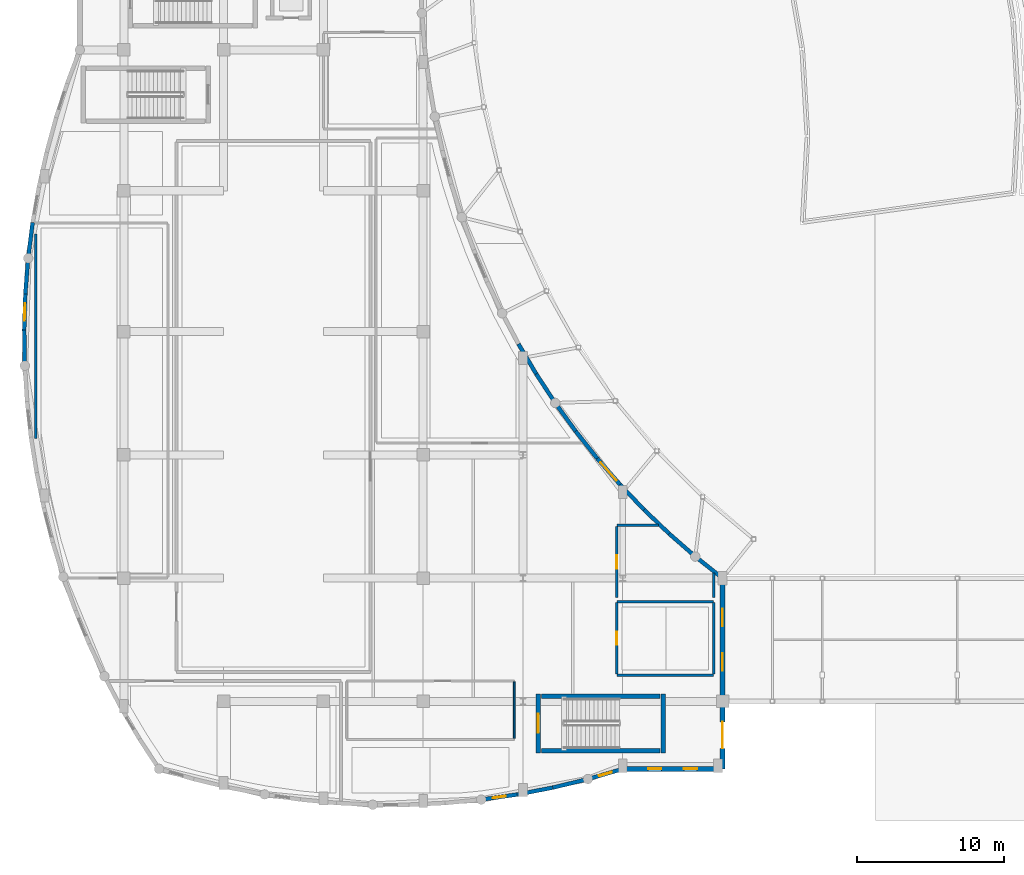
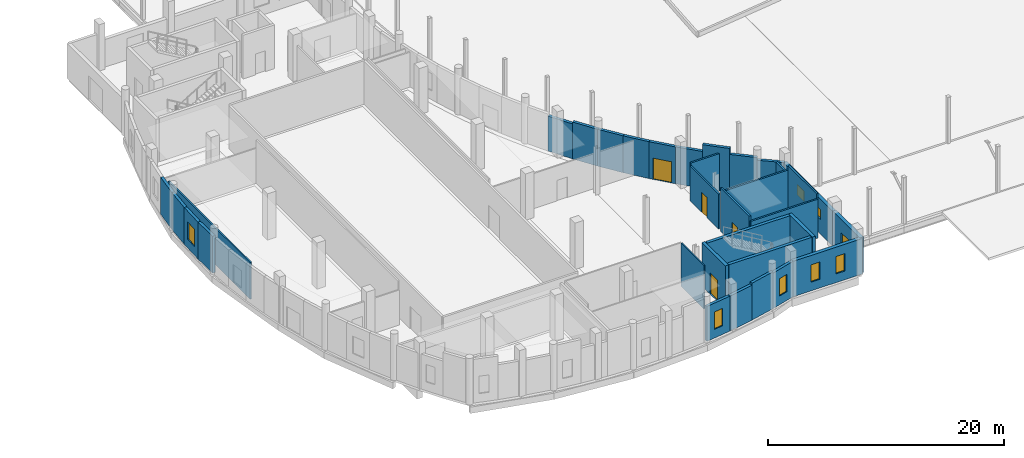
# One storey, part 61 of 97: 33 walls, 7 windows, 5 doors, 12 openings.
"""IFC4 building model written with IfcOpenShell, lengths in metres."""

from ifc_helpers import new_model, si_unit, direction, frame, frame_2d, origin, place, context, subcontext, project, spatial, rectangle, extrude, material, layer, layer_set, type_object, element, fill, save


model = new_model("IFC4")

# Units and contexts
model_context = context("Model", 3, precision=1e-05, world=origin(), true_north=direction((0.0, 1.0)))
body_context = subcontext(model_context, "Body", "Model", "MODEL_VIEW")
ifc_project = project(units=[si_unit("LENGTHUNIT", "METRE"), si_unit("AREAUNIT", "SQUARE_METRE"), si_unit("VOLUMEUNIT", "CUBIC_METRE"), si_unit("PLANEANGLEUNIT", "RADIAN"), si_unit("MASSUNIT", "GRAM", prefix="KILO")], contexts=[model_context])

# Site, building, storey
site_placement = place(None, origin())
site = spatial("IfcSite", under=ifc_project, at=site_placement, CompositionType="ELEMENT")
building_placement = place(site_placement, origin())
building = spatial("IfcBuilding", under=site, at=building_placement, Name="Kisaragi Civic Commons", CompositionType="ELEMENT")
storey_placement = place(building_placement, origin())
storey = spatial("IfcBuildingStorey", under=building, at=storey_placement, Name="L00", CompositionType="ELEMENT", Elevation=0.0)

# Wall, opening, door
ifc_material_1 = material(Name="Insulated Tokoname terracotta cavity wall", Category="masonry")
ifc_layer_1 = layer(ifc_material_1, 0.35009765625, Name="Insulated Tokoname terracotta cavity wall", Category="masonry")
ifc_layer_set_1 = layer_set([ifc_layer_1], Name="Insulated Tokoname terracotta cavity wall")
wall_type_1 = type_object("IfcWallType", Name="EW-02", PredefinedType="STANDARD", material=ifc_layer_set_1)
wall_1_placement = place(storey_placement, frame((47.60009765625, 8.39990234375, 0.0), z_axis=(0.0, 0.0, 1.0), x_axis=(0.0, -1.0, 0.0)))
wall_1 = element("IfcWall", 1, at=wall_1_placement, inside=storey, type_object=wall_type_1, Name="V1 L00 exterior terracotta wall EW-02 24", PredefinedType="STANDARD", context=body_context, shape_type="SweptSolid", body=[
    extrude(rectangle(XDim=4.599853515625, YDim=0.35009765625, at=frame_2d((2.2998046875, 0.0))), origin(), (0.0, 0.0, 1.0), 3.669921875),
])
opening_1_placement = place(wall_1_placement, frame((1.39990234375, 0.0, 0.0)))
opening_1 = element("IfcOpeningElement", 2, at=opening_1_placement, cuts=wall_1, Name="Opening ED-B", PredefinedType="OPENING", context=body_context, shape_type="SweptSolid", body=[
    extrude(rectangle(XDim=1.800048828125, YDim=2.300048828125, at=frame_2d((0.89990234375, 1.14990234375))), frame((0.0, 0.18505859375, 0.0), z_axis=(0.0, -1.0, 0.0), x_axis=(1.0, 0.0, 0.0)), (0.0, 0.0, 1.0), 0.3701171875),
])
ifc_material_2 = material(Name="Thermally broken anodized aluminium glazed exit door", Category="aluminium")
door_type_1 = type_object("IfcDoorType", Name="ED-B", OperationType="NOTDEFINED", PredefinedType="DOOR", material=ifc_material_2)
door_1_placement = place(opening_1_placement, origin())
door_1 = element("IfcDoor", 3, at=door_1_placement, inside=storey, type_object=door_type_1, Name="Ground exterior exit and veranda door ED-B 02", OperationType="DOUBLE_DOOR_SINGLE_SWING", OverallHeight=2.300048828125, OverallWidth=1.800048828125, PredefinedType="DOOR", context=body_context, shape_type="SweptSolid", body=[
    extrude(rectangle(XDim=1.800048828125, YDim=2.300048828125, at=frame_2d((0.89990234375, 1.14990234375))), frame((0.0, 0.02490234375, 0.0), z_axis=(0.0, -1.0, 0.0), x_axis=(1.0, 0.0, 0.0)), (0.0, 0.0, 1.0), 0.050048828125),
])
fill(opening_1, door_1)

# Walls
ifc_layer_2 = layer(ifc_material_1, 0.26806640625, Name="Insulated Tokoname terracotta cavity wall", Category="masonry")
ifc_layer_set_2 = layer_set([ifc_layer_2], Name="Insulated Tokoname terracotta cavity wall")
wall_type_2 = type_object("IfcWallType", Name="EW-04", PredefinedType="STANDARD", material=ifc_layer_set_2)
wall_2_placement = place(storey_placement, frame((33.694091796875, 32.759765625, 0.0), z_axis=(0.0, 0.0, 1.0), x_axis=(0.509423716395, -0.860515820409, 0.0)))
element("IfcWall", 4, at=wall_2_placement, inside=storey, type_object=wall_type_2, Name="V1 L00 exterior terracotta wall EW-04 14", PredefinedType="STANDARD", context=body_context, shape_type="SweptSolid", body=[
    extrude(rectangle(XDim=2.368408203125, YDim=0.26806640625, at=frame_2d((1.18408203125, 0.0))), origin(), (0.0, 0.0, 1.0), 3.6201171875),
])
wall_3_placement = place(storey_placement, frame((34.900634765625, 30.7216796875, 0.0), z_axis=(0.0, 0.0, 1.0), x_axis=(0.54814066554, -0.83638616128, 0.0)))
element("IfcWall", 5, at=wall_3_placement, inside=storey, type_object=wall_type_2, Name="V1 L00 exterior terracotta wall EW-04 15", PredefinedType="STANDARD", context=body_context, shape_type="SweptSolid", body=[
    extrude(rectangle(XDim=2.3681640625, YDim=0.26806640625, at=frame_2d((1.18408203125, 0.0))), origin(), (0.0, 0.0, 1.0), 3.820068359375),
])
wall_4_placement = place(storey_placement, frame((36.19873046875, 28.740966796875, 0.0), z_axis=(0.0, 0.0, 1.0), x_axis=(0.585588400882, -0.810608552109, 0.0)))
element("IfcWall", 6, at=wall_4_placement, inside=storey, type_object=wall_type_2, Name="V1 L00 exterior terracotta wall EW-04 16", PredefinedType="STANDARD", context=body_context, shape_type="SweptSolid", body=[
    extrude(rectangle(XDim=2.368408203125, YDim=0.26806640625, at=frame_2d((1.18408203125, 0.0))), origin(), (0.0, 0.0, 1.0), 3.820068359375),
])
wall_5_placement = place(storey_placement, frame((37.585693359375, 26.821044921875, 0.0), z_axis=(0.0, 0.0, 1.0), x_axis=(0.621937925109, -0.783066547179, 0.0)))
element("IfcWall", 7, at=wall_5_placement, inside=storey, type_object=wall_type_2, Name="V1 L00 exterior terracotta wall EW-04 17", PredefinedType="STANDARD", context=body_context, shape_type="SweptSolid", body=[
    extrude(rectangle(XDim=2.3681640625, YDim=0.26806640625, at=frame_2d((1.18408203125, 0.0))), origin(), (0.0, 0.0, 1.0), 3.820068359375),
])

# Wall, opening, door
wall_6_placement = place(storey_placement, frame((39.05859375, 24.966552734375, 0.0), z_axis=(0.0, 0.0, 1.0), x_axis=(0.65694145238, -0.753941594651, 0.0)))
wall_6 = element("IfcWall", 8, at=wall_6_placement, inside=storey, type_object=wall_type_2, Name="V1 L00 exterior terracotta wall EW-04 18", PredefinedType="STANDARD", context=body_context, shape_type="SweptSolid", body=[
    extrude(rectangle(XDim=2.368408203125, YDim=0.26806640625, at=frame_2d((1.18408203125, 0.0))), origin(), (0.0, 0.0, 1.0), 3.820068359375),
])
opening_2_placement = place(wall_6_placement, frame((0.359130859375, 0.0, 0.0)))
opening_2 = element("IfcOpeningElement", 9, at=opening_2_placement, cuts=wall_6, Name="Opening ED-D", PredefinedType="OPENING", context=body_context, shape_type="SweptSolid", body=[
    extrude(rectangle(XDim=1.64990234375, YDim=2.199951171875, at=frame_2d((0.824951171875, 1.10009765625))), frame((0.0, 0.14404296875, 0.0), z_axis=(0.0, -1.0, 0.0), x_axis=(1.0, 0.0, 0.0)), (0.0, 0.0, 1.0), 0.2880859375),
])
door_type_2 = type_object("IfcDoorType", Name="ED-D", OperationType="NOTDEFINED", PredefinedType="DOOR", material=ifc_material_2)
door_2_placement = place(opening_2_placement, origin())
door_2 = element("IfcDoor", 10, at=door_2_placement, inside=storey, type_object=door_type_2, Name="Ground exterior exit and veranda door ED-D 23", OperationType="DOUBLE_DOOR_SINGLE_SWING", OverallHeight=2.199951171875, OverallWidth=1.64990234375, PredefinedType="DOOR", context=body_context, shape_type="SweptSolid", body=[
    extrude(rectangle(XDim=1.64990234375, YDim=2.199951171875, at=frame_2d((0.824951171875, 1.10009765625))), frame((0.0, 0.02490234375, 0.0), z_axis=(0.0, -1.0, 0.0), x_axis=(1.0, 0.0, 0.0)), (0.0, 0.0, 1.0), 0.050048828125),
])
fill(opening_2, door_2)

# Walls
wall_7_placement = place(storey_placement, frame((40.614501953125, 23.180908203125, 0.0), z_axis=(0.0, 0.0, 1.0), x_axis=(0.690578715077, -0.723257242123, 0.0)))
element("IfcWall", 11, at=wall_7_placement, inside=storey, type_object=wall_type_2, Name="V1 L00 exterior terracotta wall EW-04 19", PredefinedType="STANDARD", context=body_context, shape_type="SweptSolid", body=[
    extrude(rectangle(XDim=2.368408203125, YDim=0.26806640625, at=frame_2d((1.18408203125, 0.0))), origin(), (0.0, 0.0, 1.0), 3.820068359375),
])
wall_8_placement = place(storey_placement, frame((42.25, 21.468017578125, 0.0), z_axis=(0.0, 0.0, 1.0), x_axis=(0.722803022189, -0.691054115909, 0.0)))
element("IfcWall", 12, at=wall_8_placement, inside=storey, type_object=wall_type_2, Name="V1 L00 exterior terracotta wall EW-04 20", PredefinedType="STANDARD", context=body_context, shape_type="SweptSolid", body=[
    extrude(rectangle(XDim=2.368408203125, YDim=0.26806640625, at=frame_2d((1.18408203125, 0.0))), origin(), (0.0, 0.0, 1.0), 4.52001953125),
])
wall_9_placement = place(storey_placement, frame((43.9619140625, 19.831298828125, 0.0), z_axis=(0.0, 0.0, 1.0), x_axis=(0.753463654821, -0.657489559509, 0.0)))
element("IfcWall", 13, at=wall_9_placement, inside=storey, type_object=wall_type_2, Name="V1 L00 exterior terracotta wall EW-04 21", PredefinedType="STANDARD", context=body_context, shape_type="SweptSolid", body=[
    extrude(rectangle(XDim=2.368408203125, YDim=0.26806640625, at=frame_2d((1.18408203125, 0.0))), origin(), (0.0, 0.0, 1.0), 3.89990234375),
])
wall_10_placement = place(storey_placement, frame((45.746337890625, 18.274169921875, 0.0), z_axis=(0.0, 0.0, 1.0), x_axis=(0.782695778101, -0.622404465715, 0.0)))
element("IfcWall", 14, at=wall_10_placement, inside=storey, type_object=wall_type_2, Name="V1 L00 exterior terracotta wall EW-04 22", PredefinedType="STANDARD", context=body_context, shape_type="SweptSolid", body=[
    extrude(rectangle(XDim=2.368408203125, YDim=0.26806640625, at=frame_2d((1.18408203125, 0.0))), origin(), (0.0, 0.0, 1.0), 3.6201171875),
])

# Wall, opening, window
wall_11_placement = place(storey_placement, frame((40.800048828125, 3.800048828125, 0.0), z_axis=(0.0, 0.0, 1.0), x_axis=(-0.959667177702, -0.281138592232, 0.0)))
wall_11 = element("IfcWall", 15, at=wall_11_placement, inside=storey, type_object=wall_type_2, Name="V1 L00 exterior terracotta wall EW-04 26", PredefinedType="STANDARD", context=body_context, shape_type="SweptSolid", body=[
    extrude(rectangle(XDim=2.4697265625, YDim=0.26806640625, at=frame_2d((1.23486328125, 0.0))), origin(), (0.0, 0.0, 1.0), 3.669921875),
])
opening_3_placement = place(wall_11_placement, frame((0.784912109375, 0.0, 0.89990234375)))
opening_3 = element("IfcOpeningElement", 16, at=opening_3_placement, cuts=wall_11, Name="Opening W-06", PredefinedType="OPENING", context=body_context, shape_type="SweptSolid", body=[
    extrude(rectangle(XDim=0.89990234375, YDim=1.800048828125, at=frame_2d((0.449951171875, 0.89990234375))), frame((0.0, 0.14404296875, 0.0), z_axis=(0.0, -1.0, 0.0), x_axis=(1.0, 0.0, 0.0)), (0.0, 0.0, 1.0), 0.2880859375),
])
ifc_material_3 = material(Name="Thermally broken aluminium frame and low-E argon double glazing", Category="aluminium")
window_type_1 = type_object("IfcWindowType", Name="W-06", PartitioningType="SINGLE_PANEL", PredefinedType="WINDOW", material=ifc_material_3)
window_1_placement = place(opening_3_placement, origin())
window_1 = element("IfcWindow", 17, at=window_1_placement, inside=storey, type_object=window_type_1, Name="V1 L00 window W-06 6", OverallHeight=1.800048828125, OverallWidth=0.89990234375, PartitioningType="SINGLE_PANEL", PredefinedType="WINDOW", context=body_context, shape_type="SweptSolid", body=[
    extrude(rectangle(XDim=0.89990234375, YDim=1.800048828125, at=frame_2d((0.449951171875, 0.89990234375))), frame((0.0, 0.030029296875, 0.0), z_axis=(0.0, -1.0, 0.0), x_axis=(1.0, 0.0, 0.0)), (0.0, 0.0, 1.0), 0.06005859375),
])
fill(opening_3, window_1)

# Walls
wall_12_placement = place(storey_placement, frame((38.429931640625, 3.105712890625, 0.0), z_axis=(0.0, 0.0, 1.0), x_axis=(-0.971924140736, -0.235294421214, 0.0)))
element("IfcWall", 18, at=wall_12_placement, inside=storey, type_object=wall_type_2, Name="V1 L00 exterior terracotta wall EW-04 27", PredefinedType="STANDARD", context=body_context, shape_type="SweptSolid", body=[
    extrude(rectangle(XDim=2.469482421875, YDim=0.26806640625, at=frame_2d((1.23486328125, 0.0))), origin(), (0.0, 0.0, 1.0), 3.820068359375),
])
wall_13_placement = place(storey_placement, frame((36.02978515625, 2.524658203125, 0.0), z_axis=(0.0, 0.0, 1.0), x_axis=(-0.982013497208, -0.188810728777, 0.0)))
element("IfcWall", 19, at=wall_13_placement, inside=storey, type_object=wall_type_2, Name="V1 L00 exterior terracotta wall EW-04 28", PredefinedType="STANDARD", context=body_context, shape_type="SweptSolid", body=[
    extrude(rectangle(XDim=2.4697265625, YDim=0.26806640625, at=frame_2d((1.23486328125, 0.0))), origin(), (0.0, 0.0, 1.0), 3.6201171875),
])

# Wall, opening, window
wall_14_placement = place(storey_placement, frame((33.6044921875, 2.058349609375, 0.0), z_axis=(0.0, 0.0, 1.0), x_axis=(-0.989872236715, -0.141961103757, 0.0)))
wall_14 = element("IfcWall", 20, at=wall_14_placement, inside=storey, type_object=wall_type_2, Name="V1 L00 exterior terracotta wall EW-04 29", PredefinedType="STANDARD", context=body_context, shape_type="SweptSolid", body=[
    extrude(rectangle(XDim=2.469482421875, YDim=0.26806640625, at=frame_2d((1.23486328125, 0.0))), origin(), (0.0, 0.0, 1.0), 3.6201171875),
])
opening_4_placement = place(wall_14_placement, frame((0.784912109375, 0.0, 0.89990234375)))
opening_4 = element("IfcOpeningElement", 21, at=opening_4_placement, cuts=wall_14, Name="Opening W-06", PredefinedType="OPENING", context=body_context, shape_type="SweptSolid", body=[
    extrude(rectangle(XDim=0.89990234375, YDim=1.800048828125, at=frame_2d((0.449951171875, 0.89990234375))), frame((0.0, 0.14404296875, 0.0), z_axis=(0.0, -1.0, 0.0), x_axis=(1.0, 0.0, 0.0)), (0.0, 0.0, 1.0), 0.2880859375),
])
window_2_placement = place(opening_4_placement, origin())
window_2 = element("IfcWindow", 22, at=window_2_placement, inside=storey, type_object=window_type_1, Name="V1 L00 window W-06 7", OverallHeight=1.800048828125, OverallWidth=0.89990234375, PartitioningType="SINGLE_PANEL", PredefinedType="WINDOW", context=body_context, shape_type="SweptSolid", body=[
    extrude(rectangle(XDim=0.89990234375, YDim=1.800048828125, at=frame_2d((0.449951171875, 0.89990234375))), frame((0.0, 0.030029296875, 0.0), z_axis=(0.0, -1.0, 0.0), x_axis=(1.0, 0.0, 0.0)), (0.0, 0.0, 1.0), 0.06005859375),
])
fill(opening_4, window_2)

# Wall
wall_15_placement = place(storey_placement, frame((0.051513671875, 31.277099609375, 0.0), z_axis=(0.0, 0.0, 1.0), x_axis=(-0.015674559362, 0.999877146548, 0.0)))
element("IfcWall", 23, at=wall_15_placement, inside=storey, type_object=wall_type_2, Name="V1 L00 exterior terracotta wall EW-04 51", PredefinedType="STANDARD", context=body_context, shape_type="SweptSolid", body=[
    extrude(rectangle(XDim=2.4453125, YDim=0.26806640625, at=frame_2d((1.22265625, 0.0))), origin(), (0.0, 0.0, 1.0), 3.820068359375),
])

# Wall, opening, window
wall_16_placement = place(storey_placement, frame((0.01318359375, 33.72216796875, 0.0), z_axis=(0.0, 0.0, 1.0), x_axis=(0.031346952552, 0.999508563528, 0.0)))
wall_16 = element("IfcWall", 24, at=wall_16_placement, inside=storey, type_object=wall_type_2, Name="V1 L00 exterior terracotta wall EW-04 52", PredefinedType="STANDARD", context=body_context, shape_type="SweptSolid", body=[
    extrude(rectangle(XDim=2.445556640625, YDim=0.26806640625, at=frame_2d((1.22265625, 0.0))), origin(), (0.0, 0.0, 1.0), 3.820068359375),
])
opening_5_placement = place(wall_16_placement, frame((0.622802734375, 0.0, 0.89990234375)))
opening_5 = element("IfcOpeningElement", 25, at=opening_5_placement, cuts=wall_16, Name="Opening W-05", PredefinedType="OPENING", context=body_context, shape_type="SweptSolid", body=[
    extrude(rectangle(XDim=1.199951171875, YDim=1.800048828125, at=frame_2d((0.60009765625, 0.89990234375))), frame((0.0, 0.14404296875, 0.0), z_axis=(0.0, -1.0, 0.0), x_axis=(1.0, 0.0, 0.0)), (0.0, 0.0, 1.0), 0.2880859375),
])
window_type_2 = type_object("IfcWindowType", Name="W-05", PartitioningType="SINGLE_PANEL", PredefinedType="WINDOW", material=ifc_material_3)
window_3_placement = place(opening_5_placement, origin())
window_3 = element("IfcWindow", 26, at=window_3_placement, inside=storey, type_object=window_type_2, Name="V1 L00 window W-05 14", OverallHeight=1.800048828125, OverallWidth=1.199951171875, PartitioningType="SINGLE_PANEL", PredefinedType="WINDOW", context=body_context, shape_type="SweptSolid", body=[
    extrude(rectangle(XDim=1.199951171875, YDim=1.800048828125, at=frame_2d((0.60009765625, 0.89990234375))), frame((0.0, 0.030029296875, 0.0), z_axis=(0.0, -1.0, 0.0), x_axis=(1.0, 0.0, 0.0)), (0.0, 0.0, 1.0), 0.06005859375),
])
fill(opening_5, window_3)

# Walls
wall_17_placement = place(storey_placement, frame((0.08984375, 36.16650390625, 0.0), z_axis=(0.0, 0.0, 1.0), x_axis=(0.078276857386, 0.996931659442, 0.0)))
element("IfcWall", 27, at=wall_17_placement, inside=storey, type_object=wall_type_2, Name="V1 L00 exterior terracotta wall EW-04 53", PredefinedType="STANDARD", context=body_context, shape_type="SweptSolid", body=[
    extrude(rectangle(XDim=2.4453125, YDim=0.26806640625, at=frame_2d((1.22265625, 0.0))), origin(), (0.0, 0.0, 1.0), 3.820068359375),
])
wall_18_placement = place(storey_placement, frame((0.28125, 38.604248046875, 0.0), z_axis=(0.0, 0.0, 1.0), x_axis=(0.125091363355, 0.992145226675, 0.0)))
element("IfcWall", 28, at=wall_18_placement, inside=storey, type_object=wall_type_2, Name="V1 L00 exterior terracotta wall EW-04 54", PredefinedType="STANDARD", context=body_context, shape_type="SweptSolid", body=[
    extrude(rectangle(XDim=2.445556640625, YDim=0.26806640625, at=frame_2d((1.22265625, 0.0))), origin(), (0.0, 0.0, 1.0), 3.820068359375),
])

# Wall, openings, windows
ifc_layer_3 = layer(ifc_material_1, 0.3349609375, Name="Insulated Tokoname terracotta cavity wall", Category="masonry")
ifc_layer_set_3 = layer_set([ifc_layer_3], Name="Insulated Tokoname terracotta cavity wall")
wall_type_3 = type_object("IfcWallType", Name="EW-06", PredefinedType="STANDARD", material=ifc_layer_set_3)
wall_19_placement = place(storey_placement, frame((47.60009765625, 16.800048828125, 0.0), z_axis=(0.0, 0.0, 1.0), x_axis=(0.0, -1.0, 0.0)))
wall_19 = element("IfcWall", 29, at=wall_19_placement, inside=storey, type_object=wall_type_3, Name="V1 L00 exterior terracotta wall EW-06 23", PredefinedType="STANDARD", context=body_context, shape_type="SweptSolid", body=[
    extrude(rectangle(XDim=8.400146484375, YDim=0.3349609375, at=frame_2d((4.2001953125, 0.0))), origin(), (0.0, 0.0, 1.0), 3.6201171875),
])
opening_6_placement = place(wall_19_placement, frame((2.087890625, 0.0, 1.5)))
opening_6 = element("IfcOpeningElement", 30, at=opening_6_placement, cuts=wall_19, Name="Opening W-09", PredefinedType="OPENING", context=body_context, shape_type="SweptSolid", body=[
    extrude(rectangle(XDim=1.199951171875, YDim=1.050048828125, at=frame_2d((0.60009765625, 0.52490234375))), frame((0.0, 0.177490234375, 0.0), z_axis=(0.0, -1.0, 0.0), x_axis=(1.0, 0.0, 0.0)), (0.0, 0.0, 1.0), 0.35498046875),
])
opening_7_placement = place(wall_19_placement, frame((5.112060546875, 0.0, 1.5)))
opening_7 = element("IfcOpeningElement", 31, at=opening_7_placement, cuts=wall_19, Name="Opening W-09", PredefinedType="OPENING", context=body_context, shape_type="SweptSolid", body=[
    extrude(rectangle(XDim=1.199951171875, YDim=1.050048828125, at=frame_2d((0.60009765625, 0.52490234375))), frame((0.0, 0.177490234375, 0.0), z_axis=(0.0, -1.0, 0.0), x_axis=(1.0, 0.0, 0.0)), (0.0, 0.0, 1.0), 0.35498046875),
])
window_type_3 = type_object("IfcWindowType", Name="W-09", PartitioningType="SINGLE_PANEL", PredefinedType="WINDOW", material=ifc_material_3)
window_4_placement = place(opening_6_placement, origin())
window_4 = element("IfcWindow", 32, at=window_4_placement, inside=storey, type_object=window_type_3, Name="V1 L00 window W-09 2", OverallHeight=1.050048828125, OverallWidth=1.199951171875, PartitioningType="SINGLE_PANEL", PredefinedType="WINDOW", context=body_context, shape_type="SweptSolid", body=[
    extrude(rectangle(XDim=1.199951171875, YDim=1.050048828125, at=frame_2d((0.60009765625, 0.52490234375))), frame((0.0, 0.030029296875, 0.0), z_axis=(0.0, -1.0, 0.0), x_axis=(1.0, 0.0, 0.0)), (0.0, 0.0, 1.0), 0.06005859375),
])
fill(opening_6, window_4)
window_5_placement = place(opening_7_placement, origin())
window_5 = element("IfcWindow", 33, at=window_5_placement, inside=storey, type_object=window_type_3, Name="V1 L00 window W-09 3", OverallHeight=1.050048828125, OverallWidth=1.199951171875, PartitioningType="SINGLE_PANEL", PredefinedType="WINDOW", context=body_context, shape_type="SweptSolid", body=[
    extrude(rectangle(XDim=1.199951171875, YDim=1.050048828125, at=frame_2d((0.60009765625, 0.52490234375))), frame((0.0, 0.030029296875, 0.0), z_axis=(0.0, -1.0, 0.0), x_axis=(1.0, 0.0, 0.0)), (0.0, 0.0, 1.0), 0.06005859375),
])
fill(opening_7, window_5)

wall_20_placement = place(storey_placement, frame((47.60009765625, 3.800048828125, 0.0), z_axis=(0.0, 0.0, 1.0), x_axis=(-1.0, 0.0, 0.0)))
wall_20 = element("IfcWall", 34, at=wall_20_placement, inside=storey, type_object=wall_type_3, Name="V1 L00 exterior terracotta wall EW-06 25", PredefinedType="STANDARD", context=body_context, shape_type="SweptSolid", body=[
    extrude(rectangle(XDim=6.800048828125, YDim=0.3349609375, at=frame_2d((3.39990234375, 0.0))), origin(), (0.0, 0.0, 1.0), 3.669921875),
])
opening_8_placement = place(wall_20_placement, frame((1.72607421875, 0.0, 0.89990234375)))
opening_8 = element("IfcOpeningElement", 35, at=opening_8_placement, cuts=wall_20, Name="Opening W-06", PredefinedType="OPENING", context=body_context, shape_type="SweptSolid", body=[
    extrude(rectangle(XDim=0.89990234375, YDim=1.800048828125, at=frame_2d((0.449951171875, 0.89990234375))), frame((0.0, 0.177490234375, 0.0), z_axis=(0.0, -1.0, 0.0), x_axis=(1.0, 0.0, 0.0)), (0.0, 0.0, 1.0), 0.35498046875),
])
opening_9_placement = place(wall_20_placement, frame((4.174072265625, 0.0, 0.89990234375)))
opening_9 = element("IfcOpeningElement", 36, at=opening_9_placement, cuts=wall_20, Name="Opening W-06", PredefinedType="OPENING", context=body_context, shape_type="SweptSolid", body=[
    extrude(rectangle(XDim=0.89990234375, YDim=1.800048828125, at=frame_2d((0.449951171875, 0.89990234375))), frame((0.0, 0.177490234375, 0.0), z_axis=(0.0, -1.0, 0.0), x_axis=(1.0, 0.0, 0.0)), (0.0, 0.0, 1.0), 0.35498046875),
])
window_6_placement = place(opening_8_placement, origin())
window_6 = element("IfcWindow", 37, at=window_6_placement, inside=storey, type_object=window_type_1, Name="V1 L00 window W-06 4", OverallHeight=1.800048828125, OverallWidth=0.89990234375, PartitioningType="SINGLE_PANEL", PredefinedType="WINDOW", context=body_context, shape_type="SweptSolid", body=[
    extrude(rectangle(XDim=0.89990234375, YDim=1.800048828125, at=frame_2d((0.449951171875, 0.89990234375))), frame((0.0, 0.030029296875, 0.0), z_axis=(0.0, -1.0, 0.0), x_axis=(1.0, 0.0, 0.0)), (0.0, 0.0, 1.0), 0.06005859375),
])
fill(opening_8, window_6)
window_7_placement = place(opening_9_placement, origin())
window_7 = element("IfcWindow", 38, at=window_7_placement, inside=storey, type_object=window_type_1, Name="V1 L00 window W-06 5", OverallHeight=1.800048828125, OverallWidth=0.89990234375, PartitioningType="SINGLE_PANEL", PredefinedType="WINDOW", context=body_context, shape_type="SweptSolid", body=[
    extrude(rectangle(XDim=0.89990234375, YDim=1.800048828125, at=frame_2d((0.449951171875, 0.89990234375))), frame((0.0, 0.030029296875, 0.0), z_axis=(0.0, -1.0, 0.0), x_axis=(1.0, 0.0, 0.0)), (0.0, 0.0, 1.0), 0.06005859375),
])
fill(opening_9, window_7)

# Walls
ifc_material_4 = material(Name="Acoustic gypsum board on light-gauge steel studs", Category="steel")
ifc_layer_4 = layer(ifc_material_4, 0.137939453125, Name="Acoustic gypsum board on light-gauge steel studs", Category="steel")
ifc_layer_set_4 = layer_set([ifc_layer_4], Name="Acoustic gypsum board on light-gauge steel studs")
wall_type_4 = type_object("IfcWallType", Name="IW-02", PredefinedType="STANDARD", material=ifc_layer_set_4)
wall_21_placement = place(storey_placement, frame((0.800048828125, 26.33154296875, 0.0), z_axis=(0.0, 0.0, 1.0), x_axis=(0.0, 1.0, 0.0)))
element("IfcWall", 39, at=wall_21_placement, inside=storey, type_object=wall_type_4, Name="L00 M0-02 partition IW-02 67", PredefinedType="STANDARD", context=body_context, shape_type="SweptSolid", body=[
    extrude(rectangle(XDim=13.914306640625, YDim=0.137939453125, at=frame_2d((6.95703125, 0.0))), origin(), (0.0, 0.0, 1.0), 3.820068359375),
])
ifc_material_5 = material(Name="Cementitious tile-backer board on galvanized steel studs", Category="steel")
ifc_layer_5 = layer(ifc_material_5, 0.16796875, Name="Cementitious tile-backer board on galvanized steel studs", Category="steel")
ifc_layer_set_5 = layer_set([ifc_layer_5], Name="Cementitious tile-backer board on galvanized steel studs")
wall_type_5 = type_object("IfcWallType", Name="IW-03", PredefinedType="STANDARD", material=ifc_layer_set_5)
wall_22_placement = place(storey_placement, frame((47.0, 15.125, 0.0), z_axis=(0.0, 0.0, 1.0), x_axis=(0.0, -1.0, 0.0)))
element("IfcWall", 40, at=wall_22_placement, inside=storey, type_object=wall_type_5, Name="L00 M0-09 partition IW-03 83", PredefinedType="STANDARD", context=body_context, shape_type="SweptSolid", body=[
    extrude(rectangle(XDim=4.85009765625, YDim=0.16796875, at=frame_2d((2.425048828125, 0.0))), origin(), (0.0, 0.0, 1.0), 4.489990234375),
])
wall_23_placement = place(storey_placement, frame((46.9951171875, 10.199951171875, 0.0), z_axis=(0.0, 0.0, 1.0), x_axis=(-1.0, 0.0, 0.0)))
element("IfcWall", 41, at=wall_23_placement, inside=storey, type_object=wall_type_5, Name="L00 M0-09 partition IW-03 84", PredefinedType="STANDARD", context=body_context, shape_type="SweptSolid", body=[
    extrude(rectangle(XDim=6.590087890625, YDim=0.16796875, at=frame_2d((3.294921875, 0.0))), origin(), (0.0, 0.0, 1.0), 4.02001953125),
])

# Wall, opening, door
wall_24_placement = place(storey_placement, frame((40.39990234375, 10.27490234375, 0.0), z_axis=(0.0, 0.0, 1.0), x_axis=(0.0, 1.0, 0.0)))
wall_24 = element("IfcWall", 42, at=wall_24_placement, inside=storey, type_object=wall_type_5, Name="L00 M0-09 partition IW-03 85", PredefinedType="STANDARD", context=body_context, shape_type="SweptSolid", body=[
    extrude(rectangle(XDim=4.85009765625, YDim=0.16796875, at=frame_2d((2.425048828125, 0.0))), origin(), (0.0, 0.0, 1.0), 4.489990234375),
])
opening_10_placement = place(wall_24_placement, frame((1.97509765625, 0.0, 0.0)))
opening_10 = element("IfcOpeningElement", 43, at=opening_10_placement, cuts=wall_24, Name="Opening ID-02", PredefinedType="OPENING", context=body_context, shape_type="SweptSolid", body=[
    extrude(rectangle(XDim=0.89990234375, YDim=2.10009765625, at=frame_2d((0.449951171875, 1.050048828125))), frame((0.0, 0.093994140625, 0.0), z_axis=(0.0, -1.0, 0.0), x_axis=(1.0, 0.0, 0.0)), (0.0, 0.0, 1.0), 0.18798828125),
])
ifc_material_6 = material(Name="Solid-core Japanese ash acoustic flush timber leaf in steel frame", Category="steel")
door_type_3 = type_object("IfcDoorType", Name="ID-02", OperationType="NOTDEFINED", PredefinedType="DOOR", material=ifc_material_6)
door_3_placement = place(opening_10_placement, origin())
door_3 = element("IfcDoor", 44, at=door_3_placement, inside=storey, type_object=door_type_3, Name="Main Hall Male WC door ID-02", OperationType="SINGLE_SWING_RIGHT", OverallHeight=2.10009765625, OverallWidth=0.89990234375, PredefinedType="DOOR", context=body_context, shape_type="SweptSolid", body=[
    extrude(rectangle(XDim=0.89990234375, YDim=2.10009765625, at=frame_2d((0.449951171875, 1.050048828125))), frame((0.0, 0.02490234375, 0.0), z_axis=(0.0, -1.0, 0.0), x_axis=(1.0, 0.0, 0.0)), (0.0, 0.0, 1.0), 0.050048828125),
])
fill(opening_10, door_3)

# Walls
wall_25_placement = place(storey_placement, frame((40.405029296875, 15.199951171875, 0.0), z_axis=(0.0, 0.0, 1.0), x_axis=(1.0, 0.0, 0.0)))
element("IfcWall", 45, at=wall_25_placement, inside=storey, type_object=wall_type_5, Name="L00 M0-09 partition IW-03 86", PredefinedType="STANDARD", context=body_context, shape_type="SweptSolid", body=[
    extrude(rectangle(XDim=6.590087890625, YDim=0.16796875, at=frame_2d((3.294921875, 0.0))), origin(), (0.0, 0.0, 1.0), 4.02001953125),
])
wall_26_placement = place(storey_placement, frame((40.405029296875, 20.39990234375, 0.0), z_axis=(0.0, 0.0, 1.0), x_axis=(1.0, 0.0, 0.0)))
element("IfcWall", 46, at=wall_26_placement, inside=storey, type_object=wall_type_5, Name="L00 M0-10 partition IW-03 87", PredefinedType="STANDARD", context=body_context, shape_type="SweptSolid", body=[
    extrude(rectangle(XDim=2.81982421875, YDim=0.16796875, at=frame_2d((1.409912109375, 0.0))), origin(), (0.0, 0.0, 1.0), 3.8701171875),
])
wall_27_placement = place(storey_placement, frame((47.0, 17.13525390625, 0.0), z_axis=(0.0, 0.0, 1.0), x_axis=(0.0, -1.0, 0.0)))
element("IfcWall", 47, at=wall_27_placement, inside=storey, type_object=wall_type_5, Name="L00 M0-10 partition IW-03 88", PredefinedType="STANDARD", context=body_context, shape_type="SweptSolid", body=[
    extrude(rectangle(XDim=1.66015625, YDim=0.16796875, at=frame_2d((0.830078125, 0.0))), origin(), (0.0, 0.0, 1.0), 3.6201171875),
])

# Wall, opening, door
wall_28_placement = place(storey_placement, frame((40.39990234375, 15.47509765625, 0.0), z_axis=(0.0, 0.0, 1.0), x_axis=(0.0, 1.0, 0.0)))
wall_28 = element("IfcWall", 48, at=wall_28_placement, inside=storey, type_object=wall_type_5, Name="L00 M0-10 partition IW-03 89", PredefinedType="STANDARD", context=body_context, shape_type="SweptSolid", body=[
    extrude(rectangle(XDim=4.849853515625, YDim=0.16796875, at=frame_2d((2.4248046875, 0.0))), origin(), (0.0, 0.0, 1.0), 3.6201171875),
])
opening_11_placement = place(wall_28_placement, frame((1.97509765625, 0.0, 0.0)))
opening_11 = element("IfcOpeningElement", 49, at=opening_11_placement, cuts=wall_28, Name="Opening ID-02", PredefinedType="OPENING", context=body_context, shape_type="SweptSolid", body=[
    extrude(rectangle(XDim=0.89990234375, YDim=2.10009765625, at=frame_2d((0.449951171875, 1.050048828125))), frame((0.0, 0.093994140625, 0.0), z_axis=(0.0, -1.0, 0.0), x_axis=(1.0, 0.0, 0.0)), (0.0, 0.0, 1.0), 0.18798828125),
])
door_4_placement = place(opening_11_placement, origin())
door_4 = element("IfcDoor", 50, at=door_4_placement, inside=storey, type_object=door_type_3, Name="Main Hall Female WC door ID-02", OperationType="SINGLE_SWING_LEFT", OverallHeight=2.10009765625, OverallWidth=0.89990234375, PredefinedType="DOOR", context=body_context, shape_type="SweptSolid", body=[
    extrude(rectangle(XDim=0.89990234375, YDim=2.10009765625, at=frame_2d((0.449951171875, 1.050048828125))), frame((0.0, 0.02490234375, 0.0), z_axis=(0.0, -1.0, 0.0), x_axis=(1.0, 0.0, 0.0)), (0.0, 0.0, 1.0), 0.050048828125),
])
fill(opening_11, door_4)

# Wall
ifc_layer_6 = layer(ifc_material_4, 0.1201171875, Name="Acoustic gypsum board on light-gauge steel studs", Category="steel")
ifc_layer_set_6 = layer_set([ifc_layer_6], Name="Acoustic gypsum board on light-gauge steel studs")
wall_type_6 = type_object("IfcWallType", Name="IW-04", PredefinedType="STANDARD", material=ifc_layer_set_6)
wall_29_placement = place(storey_placement, frame((33.39990234375, 9.72509765625, 0.0), z_axis=(0.0, 0.0, 1.0), x_axis=(0.0, -1.0, 0.0)))
element("IfcWall", 51, at=wall_29_placement, inside=storey, type_object=wall_type_6, Name="L00 M0-04 partition IW-04 74", PredefinedType="STANDARD", context=body_context, shape_type="SweptSolid", body=[
    extrude(rectangle(XDim=3.85009765625, YDim=0.1201171875, at=frame_2d((1.925048828125, 0.0))), origin(), (0.0, 0.0, 1.0), 4.489990234375),
])

# Wall, opening, door
ifc_material_7 = material(Name="Concrete Fc36", Category="concrete")
ifc_layer_7 = layer(ifc_material_7, 0.300048828125, Name="Concrete Fc36", Category="concrete")
ifc_layer_set_7 = layer_set([ifc_layer_7], Name="Concrete Fc36")
wall_type_7 = type_object("IfcWallType", Name="SW-01", PredefinedType="SHEAR", material=ifc_layer_set_7)
wall_30_placement = place(storey_placement, frame((35.050048828125, 8.89990234375, 0.0), z_axis=(0.0, 0.0, 1.0), x_axis=(0.0, -1.0, 0.0)))
wall_30 = element("IfcWall", 52, at=wall_30_placement, inside=storey, type_object=wall_type_7, Name="ST-M2 L00 entry RC shear wall", PredefinedType="SHEAR", context=body_context, shape_type="SweptSolid", body=[
    extrude(rectangle(XDim=4.0, YDim=0.300048828125, at=frame_2d((2.0, 0.0))), origin(), (0.0, 0.0, 1.0), 4.4951171875),
])
opening_12_placement = place(wall_30_placement, frame((1.35009765625, 0.0, 0.0)))
opening_12 = element("IfcOpeningElement", 53, at=opening_12_placement, cuts=wall_30, Name="Opening SD-02", PredefinedType="OPENING", context=body_context, shape_type="SweptSolid", body=[
    extrude(rectangle(XDim=1.300048828125, YDim=2.199951171875, at=frame_2d((0.64990234375, 1.10009765625))), frame((0.0, 0.159912109375, 0.0), z_axis=(0.0, -1.0, 0.0), x_axis=(1.0, 0.0, 0.0)), (0.0, 0.0, 1.0), 0.320068359375),
])
ifc_material_8 = material(Name="Insulated fire-rated pressed steel door assembly", Category="steel")
door_type_4 = type_object("IfcDoorType", Name="SD-02", OperationType="NOTDEFINED", PredefinedType="DOOR", material=ifc_material_8)
door_5_placement = place(opening_12_placement, frame((1.300048828125, 0.0, 0.0), z_axis=(0.0, 0.0, 1.0), x_axis=(-1.0, 0.0, 0.0)))
door_5 = element("IfcDoor", 54, at=door_5_placement, inside=storey, type_object=door_type_4, Name="ST-M2 L00 stair fire door 25", OperationType="SINGLE_SWING_LEFT", OverallHeight=2.199951171875, OverallWidth=1.300048828125, PredefinedType="DOOR", context=body_context, shape_type="SweptSolid", body=[
    extrude(rectangle(XDim=1.300048828125, YDim=2.199951171875, at=frame_2d((0.64990234375, 1.10009765625))), frame((0.0, 0.02490234375, 0.0), z_axis=(0.0, -1.0, 0.0), x_axis=(1.0, 0.0, 0.0)), (0.0, 0.0, 1.0), 0.050048828125),
])
fill(opening_12, door_5)

# Walls
wall_31_placement = place(storey_placement, frame((35.25, 5.050048828125, 0.0), z_axis=(0.0, 0.0, 1.0), x_axis=(1.0, 0.0, 0.0)))
element("IfcWall", 55, at=wall_31_placement, inside=storey, type_object=wall_type_7, Name="ST-M2 L00 right RC shear wall", PredefinedType="SHEAR", context=body_context, shape_type="SweptSolid", body=[
    extrude(rectangle(XDim=8.10009765625, YDim=0.300048828125, at=frame_2d((4.050048828125, 0.0))), origin(), (0.0, 0.0, 1.0), 4.4951171875),
])
wall_32_placement = place(storey_placement, frame((43.550048828125, 4.89990234375, 0.0), z_axis=(0.0, 0.0, 1.0), x_axis=(0.0, 1.0, 0.0)))
element("IfcWall", 56, at=wall_32_placement, inside=storey, type_object=wall_type_7, Name="ST-M2 L00 far RC shear wall", PredefinedType="SHEAR", context=body_context, shape_type="SweptSolid", body=[
    extrude(rectangle(XDim=4.0, YDim=0.300048828125, at=frame_2d((2.0, 0.0))), origin(), (0.0, 0.0, 1.0), 4.4951171875),
])
wall_33_placement = place(storey_placement, frame((43.35009765625, 8.75, 0.0), z_axis=(0.0, 0.0, 1.0), x_axis=(-1.0, 0.0, 0.0)))
element("IfcWall", 57, at=wall_33_placement, inside=storey, type_object=wall_type_7, Name="ST-M2 L00 left RC shear wall", PredefinedType="SHEAR", context=body_context, shape_type="SweptSolid", body=[
    extrude(rectangle(XDim=8.10009765625, YDim=0.300048828125, at=frame_2d((4.050048828125, 0.0))), origin(), (0.0, 0.0, 1.0), 4.4951171875),
])

save(model, "model.ifc")
